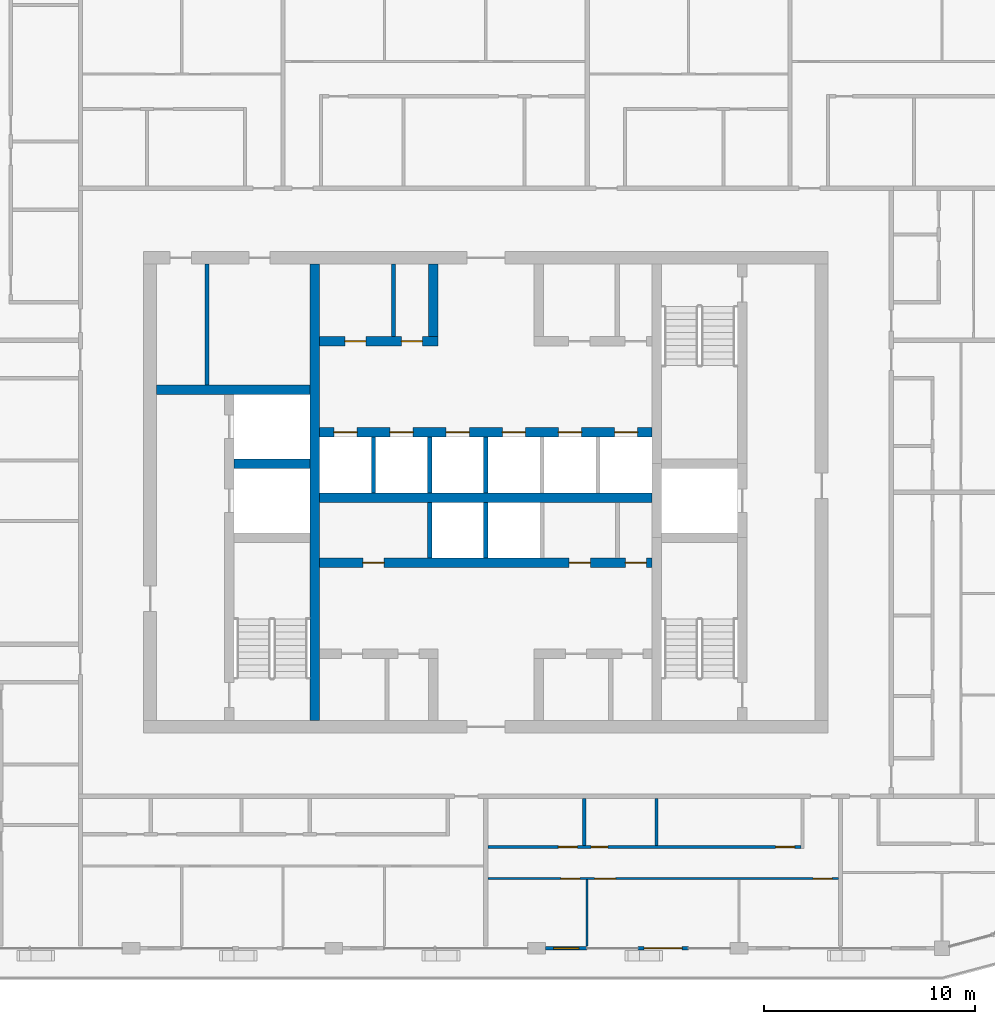
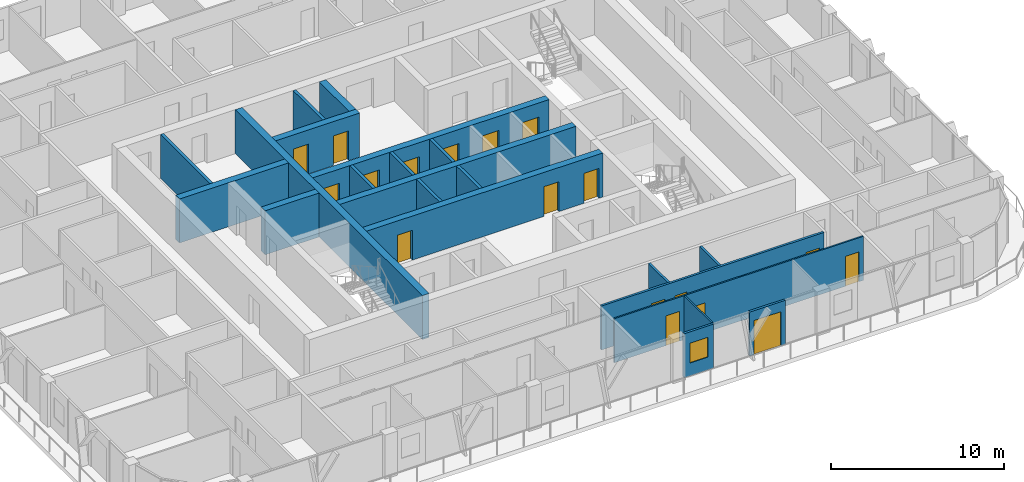
# One storey, part 11 of 22: 22 walls, 18 doors, 1 window, 19 openings.
"""IFC4 building model written with IfcOpenShell, lengths in metres."""

from ifc_helpers import new_model, si_unit, direction, frame, frame_2d, origin, place, context, subcontext, project, spatial, rectangle, extrude, material, layer, layer_set, type_object, element, fill, save


model = new_model("IFC4")

# Units and contexts
model_context = context("Model", 3, precision=1e-05, world=origin(), true_north=direction((0.0, 1.0)))
body_context = subcontext(model_context, "Body", "Model", "MODEL_VIEW")
ifc_project = project(units=[si_unit("LENGTHUNIT", "METRE"), si_unit("AREAUNIT", "SQUARE_METRE"), si_unit("VOLUMEUNIT", "CUBIC_METRE"), si_unit("PLANEANGLEUNIT", "RADIAN"), si_unit("MASSUNIT", "GRAM", prefix="KILO")], contexts=[model_context])

# Site, building, storey
site_placement = place(None, origin())
site = spatial("IfcSite", under=ifc_project, at=site_placement, CompositionType="ELEMENT")
building_placement = place(site_placement, origin())
building = spatial("IfcBuilding", under=site, at=building_placement, Name="Madar Terraces", CompositionType="ELEMENT")
storey_placement = place(building_placement, frame((0.0, 0.0, 259.699951171875)))
storey = spatial("IfcBuildingStorey", under=building, at=storey_placement, Name="L68", CompositionType="ELEMENT", Elevation=259.699951171875)

# Walls
ifc_material_1 = material(Name="Concrete C55/67", Category="concrete")
ifc_layer_1 = layer(ifc_material_1, 0.449951171875)
ifc_layer_set_1 = layer_set([ifc_layer_1], Name="Concrete C55/67 (CIW5 RC wall 450)")
wall_type_1 = type_object("IfcWallType", Name="CIW5 RC wall 450", PredefinedType="SHEAR", material=ifc_layer_set_1)
wall_1_placement = place(storey_placement, frame((23.10009765625, 15.60009765625, 0.0), z_axis=(0.0, 0.0, 1.0), x_axis=(0.0, 1.0, 0.0)))
element("IfcWall", 1, at=wall_1_placement, inside=storey, type_object=wall_type_1, Name="CORE SHAFT WALL", PredefinedType="SHEAR", context=body_context, shape_type="SweptSolid", body=[
    extrude(rectangle(XDim=21.599853515625, YDim=0.449951171875, at=frame_2d((10.7998046875, 0.0))), origin(), (0.0, 0.0, 1.0), 3.10009765625),
])
wall_2_placement = place(storey_placement, frame((19.27490234375, 27.75, 0.0), z_axis=(0.0, 0.0, 1.0), x_axis=(1.0, 0.0, 0.0)))
element("IfcWall", 2, at=wall_2_placement, inside=storey, type_object=wall_type_1, Name="CORE SHAFT WALL", PredefinedType="SHEAR", context=body_context, shape_type="SweptSolid", body=[
    extrude(rectangle(XDim=3.60009765625, YDim=0.449951171875, at=frame_2d((1.800048828125, 0.0))), origin(), (0.0, 0.0, 1.0), 3.10009765625),
])
wall_3_placement = place(storey_placement, frame((15.60009765625, 31.25, 0.0), z_axis=(0.0, 0.0, 1.0), x_axis=(1.0, 0.0, 0.0)))
element("IfcWall", 3, at=wall_3_placement, inside=storey, type_object=wall_type_1, Name="CORE SHAFT WALL", PredefinedType="SHEAR", context=body_context, shape_type="SweptSolid", body=[
    extrude(rectangle(XDim=7.27490234375, YDim=0.449951171875, at=frame_2d((3.637451171875, 0.0))), origin(), (0.0, 0.0, 1.0), 3.10009765625),
])

# Wall, openings, doors
wall_4_placement = place(storey_placement, frame((23.324951171875, 23.050048828125, 0.0), z_axis=(0.0, 0.0, 1.0), x_axis=(1.0, 0.0, 0.0)))
wall_4 = element("IfcWall", 4, at=wall_4_placement, inside=storey, type_object=wall_type_1, Name="CORE SHAFT WALL", PredefinedType="SHEAR", context=body_context, shape_type="SweptSolid", body=[
    extrude(rectangle(XDim=15.75, YDim=0.449951171875, at=frame_2d((7.875, 0.0))), origin(), (0.0, 0.0, 1.0), 3.10009765625),
])
opening_1_placement = place(wall_4_placement, frame((2.058349609375, 0.0, 0.0)))
opening_1 = element("IfcOpeningElement", 5, at=opening_1_placement, cuts=wall_4, Name="Opening KD2", PredefinedType="OPENING", context=body_context, shape_type="SweptSolid", body=[
    extrude(rectangle(XDim=1.0, YDim=2.10009765625, at=frame_2d((0.5, 1.050048828125))), frame((0.0, 0.23486328125, 0.0), z_axis=(0.0, -1.0, 0.0), x_axis=(1.0, 0.0, 0.0)), (0.0, 0.0, 1.0), 0.469970703125),
])
opening_2_placement = place(wall_4_placement, frame((11.822998046875, 0.0, 0.0)))
opening_2 = element("IfcOpeningElement", 6, at=opening_2_placement, cuts=wall_4, Name="Opening KD2", PredefinedType="OPENING", context=body_context, shape_type="SweptSolid", body=[
    extrude(rectangle(XDim=1.0, YDim=2.10009765625, at=frame_2d((0.5, 1.050048828125))), frame((0.0, 0.23486328125, 0.0), z_axis=(0.0, -1.0, 0.0), x_axis=(1.0, 0.0, 0.0)), (0.0, 0.0, 1.0), 0.469970703125),
])
opening_3_placement = place(wall_4_placement, frame((14.4814453125, 0.0, 0.0)))
opening_3 = element("IfcOpeningElement", 7, at=opening_3_placement, cuts=wall_4, Name="Opening KD2", PredefinedType="OPENING", context=body_context, shape_type="SweptSolid", body=[
    extrude(rectangle(XDim=1.0, YDim=2.10009765625, at=frame_2d((0.5, 1.050048828125))), frame((0.0, 0.23486328125, 0.0), z_axis=(0.0, -1.0, 0.0), x_axis=(1.0, 0.0, 0.0)), (0.0, 0.0, 1.0), 0.469970703125),
])
ifc_material_2 = material(Name="Steel door leaf", Category="steel")
door_type_1 = type_object("IfcDoorType", Name="Service room door 1000 x 2100", OperationType="NOTDEFINED", PredefinedType="DOOR", material=ifc_material_2)
door_1_placement = place(opening_1_placement, frame((1.0, 0.0, 0.0), z_axis=(0.0, 0.0, 1.0), x_axis=(-1.0, 0.0, 0.0)))
door_1 = element("IfcDoor", 8, at=door_1_placement, inside=storey, type_object=door_type_1, Name="SERVICE ROOM DOOR", OperationType="SINGLE_SWING_LEFT", OverallHeight=2.10009765625, OverallWidth=1.0, PredefinedType="DOOR", context=body_context, shape_type="SweptSolid", body=[
    extrude(rectangle(XDim=1.0, YDim=2.10009765625, at=frame_2d((0.5, 1.050048828125))), frame((0.0, 0.02490234375, 0.0), z_axis=(0.0, -1.0, 0.0), x_axis=(1.0, 0.0, 0.0)), (0.0, 0.0, 1.0), 0.050048828125),
])
fill(opening_1, door_1)
door_2_placement = place(opening_2_placement, frame((1.0, 0.0, 0.0), z_axis=(0.0, 0.0, 1.0), x_axis=(-1.0, 0.0, 0.0)))
door_2 = element("IfcDoor", 9, at=door_2_placement, inside=storey, type_object=door_type_1, Name="SERVICE ROOM DOOR", OperationType="SINGLE_SWING_RIGHT", OverallHeight=2.10009765625, OverallWidth=1.0, PredefinedType="DOOR", context=body_context, shape_type="SweptSolid", body=[
    extrude(rectangle(XDim=1.0, YDim=2.10009765625, at=frame_2d((0.5, 1.050048828125))), frame((0.0, 0.02490234375, 0.0), z_axis=(0.0, -1.0, 0.0), x_axis=(1.0, 0.0, 0.0)), (0.0, 0.0, 1.0), 0.050048828125),
])
fill(opening_2, door_2)
door_3_placement = place(opening_3_placement, frame((1.0, 0.0, 0.0), z_axis=(0.0, 0.0, 1.0), x_axis=(-1.0, 0.0, 0.0)))
door_3 = element("IfcDoor", 10, at=door_3_placement, inside=storey, type_object=door_type_1, Name="SERVICE ROOM DOOR", OperationType="SINGLE_SWING_LEFT", OverallHeight=2.10009765625, OverallWidth=1.0, PredefinedType="DOOR", context=body_context, shape_type="SweptSolid", body=[
    extrude(rectangle(XDim=1.0, YDim=2.10009765625, at=frame_2d((0.5, 1.050048828125))), frame((0.0, 0.02490234375, 0.0), z_axis=(0.0, -1.0, 0.0), x_axis=(1.0, 0.0, 0.0)), (0.0, 0.0, 1.0), 0.050048828125),
])
fill(opening_3, door_3)

# Wall
wall_5_placement = place(storey_placement, frame((23.324951171875, 26.14990234375, 0.0), z_axis=(0.0, 0.0, 1.0), x_axis=(1.0, 0.0, 0.0)))
element("IfcWall", 11, at=wall_5_placement, inside=storey, type_object=wall_type_1, Name="CORE SHAFT WALL", PredefinedType="SHEAR", context=body_context, shape_type="SweptSolid", body=[
    extrude(rectangle(XDim=15.75, YDim=0.449951171875, at=frame_2d((7.875, 0.0))), origin(), (0.0, 0.0, 1.0), 3.10009765625),
])

# Wall, openings, doors
wall_6_placement = place(storey_placement, frame((23.324951171875, 29.25, 0.0), z_axis=(0.0, 0.0, 1.0), x_axis=(1.0, 0.0, 0.0)))
wall_6 = element("IfcWall", 12, at=wall_6_placement, inside=storey, type_object=wall_type_1, Name="CORE SHAFT WALL", PredefinedType="SHEAR", context=body_context, shape_type="SweptSolid", body=[
    extrude(rectangle(XDim=15.75, YDim=0.449951171875, at=frame_2d((7.875, 0.0))), origin(), (0.0, 0.0, 1.0), 3.10009765625),
])
opening_4_placement = place(wall_6_placement, frame((0.67919921875, 0.0, 0.0)))
opening_4 = element("IfcOpeningElement", 13, at=opening_4_placement, cuts=wall_6, Name="Opening LD", PredefinedType="OPENING", context=body_context, shape_type="SweptSolid", body=[
    extrude(rectangle(XDim=1.10009765625, YDim=2.10009765625, at=frame_2d((0.550048828125, 1.050048828125))), frame((0.0, 0.23486328125, 0.0), z_axis=(0.0, -1.0, 0.0), x_axis=(1.0, 0.0, 0.0)), (0.0, 0.0, 1.0), 0.469970703125),
])
opening_5_placement = place(wall_6_placement, frame((3.33740234375, 0.0, 0.0)))
opening_5 = element("IfcOpeningElement", 14, at=opening_5_placement, cuts=wall_6, Name="Opening LD", PredefinedType="OPENING", context=body_context, shape_type="SweptSolid", body=[
    extrude(rectangle(XDim=1.10009765625, YDim=2.10009765625, at=frame_2d((0.550048828125, 1.050048828125))), frame((0.0, 0.23486328125, 0.0), z_axis=(0.0, -1.0, 0.0), x_axis=(1.0, 0.0, 0.0)), (0.0, 0.0, 1.0), 0.469970703125),
])
opening_6_placement = place(wall_6_placement, frame((5.995849609375, 0.0, 0.0)))
opening_6 = element("IfcOpeningElement", 15, at=opening_6_placement, cuts=wall_6, Name="Opening LD", PredefinedType="OPENING", context=body_context, shape_type="SweptSolid", body=[
    extrude(rectangle(XDim=1.10009765625, YDim=2.10009765625, at=frame_2d((0.550048828125, 1.050048828125))), frame((0.0, 0.23486328125, 0.0), z_axis=(0.0, -1.0, 0.0), x_axis=(1.0, 0.0, 0.0)), (0.0, 0.0, 1.0), 0.469970703125),
])
opening_7_placement = place(wall_6_placement, frame((8.654052734375, 0.0, 0.0)))
opening_7 = element("IfcOpeningElement", 16, at=opening_7_placement, cuts=wall_6, Name="Opening LD", PredefinedType="OPENING", context=body_context, shape_type="SweptSolid", body=[
    extrude(rectangle(XDim=1.10009765625, YDim=2.10009765625, at=frame_2d((0.550048828125, 1.050048828125))), frame((0.0, 0.23486328125, 0.0), z_axis=(0.0, -1.0, 0.0), x_axis=(1.0, 0.0, 0.0)), (0.0, 0.0, 1.0), 0.469970703125),
])
opening_8_placement = place(wall_6_placement, frame((11.3125, 0.0, 0.0)))
opening_8 = element("IfcOpeningElement", 17, at=opening_8_placement, cuts=wall_6, Name="Opening LD", PredefinedType="OPENING", context=body_context, shape_type="SweptSolid", body=[
    extrude(rectangle(XDim=1.10009765625, YDim=2.10009765625, at=frame_2d((0.550048828125, 1.050048828125))), frame((0.0, 0.23486328125, 0.0), z_axis=(0.0, -1.0, 0.0), x_axis=(1.0, 0.0, 0.0)), (0.0, 0.0, 1.0), 0.469970703125),
])
opening_9_placement = place(wall_6_placement, frame((13.970947265625, 0.0, 0.0)))
opening_9 = element("IfcOpeningElement", 18, at=opening_9_placement, cuts=wall_6, Name="Opening LD", PredefinedType="OPENING", context=body_context, shape_type="SweptSolid", body=[
    extrude(rectangle(XDim=1.10009765625, YDim=2.10009765625, at=frame_2d((0.550048828125, 1.050048828125))), frame((0.0, 0.23486328125, 0.0), z_axis=(0.0, -1.0, 0.0), x_axis=(1.0, 0.0, 0.0)), (0.0, 0.0, 1.0), 0.469970703125),
])
ifc_material_3 = material(Name="Stainless steel panel", Category="steel")
door_type_2 = type_object("IfcDoorType", Name="Lift landing door 1100 x 2100", OperationType="DOUBLE_DOOR_SLIDING", PredefinedType="DOOR", material=ifc_material_3)
door_4_placement = place(opening_4_placement, origin())
door_4 = element("IfcDoor", 19, at=door_4_placement, inside=storey, type_object=door_type_2, Name="LIFT LANDING DOOR", OperationType="DOUBLE_DOOR_SLIDING", OverallHeight=2.10009765625, OverallWidth=1.10009765625, PredefinedType="DOOR", context=body_context, shape_type="SweptSolid", body=[
    extrude(rectangle(XDim=1.10009765625, YDim=2.10009765625, at=frame_2d((0.550048828125, 1.050048828125))), frame((0.0, 0.02490234375, 0.0), z_axis=(0.0, -1.0, 0.0), x_axis=(1.0, 0.0, 0.0)), (0.0, 0.0, 1.0), 0.050048828125),
])
fill(opening_4, door_4)
door_5_placement = place(opening_5_placement, origin())
door_5 = element("IfcDoor", 20, at=door_5_placement, inside=storey, type_object=door_type_2, Name="LIFT LANDING DOOR", OperationType="DOUBLE_DOOR_SLIDING", OverallHeight=2.10009765625, OverallWidth=1.10009765625, PredefinedType="DOOR", context=body_context, shape_type="SweptSolid", body=[
    extrude(rectangle(XDim=1.10009765625, YDim=2.10009765625, at=frame_2d((0.550048828125, 1.050048828125))), frame((0.0, 0.02490234375, 0.0), z_axis=(0.0, -1.0, 0.0), x_axis=(1.0, 0.0, 0.0)), (0.0, 0.0, 1.0), 0.050048828125),
])
fill(opening_5, door_5)
door_6_placement = place(opening_6_placement, origin())
door_6 = element("IfcDoor", 21, at=door_6_placement, inside=storey, type_object=door_type_2, Name="LIFT LANDING DOOR", OperationType="DOUBLE_DOOR_SLIDING", OverallHeight=2.10009765625, OverallWidth=1.10009765625, PredefinedType="DOOR", context=body_context, shape_type="SweptSolid", body=[
    extrude(rectangle(XDim=1.10009765625, YDim=2.10009765625, at=frame_2d((0.550048828125, 1.050048828125))), frame((0.0, 0.02490234375, 0.0), z_axis=(0.0, -1.0, 0.0), x_axis=(1.0, 0.0, 0.0)), (0.0, 0.0, 1.0), 0.050048828125),
])
fill(opening_6, door_6)
door_7_placement = place(opening_7_placement, origin())
door_7 = element("IfcDoor", 22, at=door_7_placement, inside=storey, type_object=door_type_2, Name="LIFT LANDING DOOR", OperationType="DOUBLE_DOOR_SLIDING", OverallHeight=2.10009765625, OverallWidth=1.10009765625, PredefinedType="DOOR", context=body_context, shape_type="SweptSolid", body=[
    extrude(rectangle(XDim=1.10009765625, YDim=2.10009765625, at=frame_2d((0.550048828125, 1.050048828125))), frame((0.0, 0.02490234375, 0.0), z_axis=(0.0, -1.0, 0.0), x_axis=(1.0, 0.0, 0.0)), (0.0, 0.0, 1.0), 0.050048828125),
])
fill(opening_7, door_7)
door_8_placement = place(opening_8_placement, origin())
door_8 = element("IfcDoor", 23, at=door_8_placement, inside=storey, type_object=door_type_2, Name="LIFT LANDING DOOR", OperationType="DOUBLE_DOOR_SLIDING", OverallHeight=2.10009765625, OverallWidth=1.10009765625, PredefinedType="DOOR", context=body_context, shape_type="SweptSolid", body=[
    extrude(rectangle(XDim=1.10009765625, YDim=2.10009765625, at=frame_2d((0.550048828125, 1.050048828125))), frame((0.0, 0.02490234375, 0.0), z_axis=(0.0, -1.0, 0.0), x_axis=(1.0, 0.0, 0.0)), (0.0, 0.0, 1.0), 0.050048828125),
])
fill(opening_8, door_8)
door_9_placement = place(opening_9_placement, origin())
door_9 = element("IfcDoor", 24, at=door_9_placement, inside=storey, type_object=door_type_2, Name="LIFT LANDING DOOR", OperationType="DOUBLE_DOOR_SLIDING", OverallHeight=2.10009765625, OverallWidth=1.10009765625, PredefinedType="DOOR", context=body_context, shape_type="SweptSolid", body=[
    extrude(rectangle(XDim=1.10009765625, YDim=2.10009765625, at=frame_2d((0.550048828125, 1.050048828125))), frame((0.0, 0.02490234375, 0.0), z_axis=(0.0, -1.0, 0.0), x_axis=(1.0, 0.0, 0.0)), (0.0, 0.0, 1.0), 0.050048828125),
])
fill(opening_9, door_9)

wall_7_placement = place(storey_placement, frame((23.324951171875, 33.550048828125, 0.0), z_axis=(0.0, 0.0, 1.0), x_axis=(1.0, 0.0, 0.0)))
wall_7 = element("IfcWall", 25, at=wall_7_placement, inside=storey, type_object=wall_type_1, Name="CORE SHAFT WALL", PredefinedType="SHEAR", context=body_context, shape_type="SweptSolid", body=[
    extrude(rectangle(XDim=5.60009765625, YDim=0.449951171875, at=frame_2d((2.800048828125, 0.0))), origin(), (0.0, 0.0, 1.0), 3.10009765625),
])
opening_10_placement = place(wall_7_placement, frame((1.200927734375, 0.0, 0.0)))
opening_10 = element("IfcOpeningElement", 26, at=opening_10_placement, cuts=wall_7, Name="Opening KD2", PredefinedType="OPENING", context=body_context, shape_type="SweptSolid", body=[
    extrude(rectangle(XDim=1.0, YDim=2.10009765625, at=frame_2d((0.5, 1.050048828125))), frame((0.0, 0.23486328125, 0.0), z_axis=(0.0, -1.0, 0.0), x_axis=(1.0, 0.0, 0.0)), (0.0, 0.0, 1.0), 0.469970703125),
])
opening_11_placement = place(wall_7_placement, frame((3.8759765625, 0.0, 0.0)))
opening_11 = element("IfcOpeningElement", 27, at=opening_11_placement, cuts=wall_7, Name="Opening KD2", PredefinedType="OPENING", context=body_context, shape_type="SweptSolid", body=[
    extrude(rectangle(XDim=1.0, YDim=2.10009765625, at=frame_2d((0.5, 1.050048828125))), frame((0.0, 0.23486328125, 0.0), z_axis=(0.0, -1.0, 0.0), x_axis=(1.0, 0.0, 0.0)), (0.0, 0.0, 1.0), 0.469970703125),
])
door_10_placement = place(opening_10_placement, frame((1.0, 0.0, 0.0), z_axis=(0.0, 0.0, 1.0), x_axis=(-1.0, 0.0, 0.0)))
door_10 = element("IfcDoor", 28, at=door_10_placement, inside=storey, type_object=door_type_1, Name="SERVICE ROOM DOOR", OperationType="SINGLE_SWING_RIGHT", OverallHeight=2.10009765625, OverallWidth=1.0, PredefinedType="DOOR", context=body_context, shape_type="SweptSolid", body=[
    extrude(rectangle(XDim=1.0, YDim=2.10009765625, at=frame_2d((0.5, 1.050048828125))), frame((0.0, 0.02490234375, 0.0), z_axis=(0.0, -1.0, 0.0), x_axis=(1.0, 0.0, 0.0)), (0.0, 0.0, 1.0), 0.050048828125),
])
fill(opening_10, door_10)
door_11_placement = place(opening_11_placement, frame((1.0, 0.0, 0.0), z_axis=(0.0, 0.0, 1.0), x_axis=(-1.0, 0.0, 0.0)))
door_11 = element("IfcDoor", 29, at=door_11_placement, inside=storey, type_object=door_type_1, Name="SERVICE ROOM DOOR", OperationType="SINGLE_SWING_LEFT", OverallHeight=2.10009765625, OverallWidth=1.0, PredefinedType="DOOR", context=body_context, shape_type="SweptSolid", body=[
    extrude(rectangle(XDim=1.0, YDim=2.10009765625, at=frame_2d((0.5, 1.050048828125))), frame((0.0, 0.02490234375, 0.0), z_axis=(0.0, -1.0, 0.0), x_axis=(1.0, 0.0, 0.0)), (0.0, 0.0, 1.0), 0.050048828125),
])
fill(opening_11, door_11)

# Walls
wall_8_placement = place(storey_placement, frame((28.699951171875, 33.77490234375, 0.0), z_axis=(0.0, 0.0, 1.0), x_axis=(0.0, 1.0, 0.0)))
element("IfcWall", 30, at=wall_8_placement, inside=storey, type_object=wall_type_1, Name="CORE SHAFT WALL", PredefinedType="SHEAR", context=body_context, shape_type="SweptSolid", body=[
    extrude(rectangle(XDim=3.425048828125, YDim=0.449951171875, at=frame_2d((1.71240234375, 0.0))), origin(), (0.0, 0.0, 1.0), 3.10009765625),
])
ifc_material_4 = material(Name="Masonry blockwork", Category="masonry")
ifc_layer_2 = layer(ifc_material_4, 0.199951171875)
ifc_layer_set_2 = layer_set([ifc_layer_2], Name="Core partition 200 blockwork")
wall_type_2 = type_object("IfcWallType", Name="Core partition 200 blockwork", PredefinedType="PARTITIONING", material=ifc_layer_set_2)
wall_9_placement = place(storey_placement, frame((18.000732421875, 31.47509765625, 0.0), z_axis=(0.0, 0.0, 1.0), x_axis=(0.0, 1.0, 0.0)))
element("IfcWall", 31, at=wall_9_placement, inside=storey, type_object=wall_type_2, Name="SERVICE ROOM PARTITION", PredefinedType="PARTITIONING", context=body_context, shape_type="SweptSolid", body=[
    extrude(rectangle(XDim=5.724853515625, YDim=0.199951171875, at=frame_2d((2.8623046875, 0.0))), origin(), (0.0, 0.0, 1.0), 3.10009765625),
])
wall_10_placement = place(storey_placement, frame((26.826904296875, 33.77490234375, 0.0), z_axis=(0.0, 0.0, 1.0), x_axis=(0.0, 1.0, 0.0)))
element("IfcWall", 32, at=wall_10_placement, inside=storey, type_object=wall_type_2, Name="SERVICE ROOM PARTITION", PredefinedType="PARTITIONING", context=body_context, shape_type="SweptSolid", body=[
    extrude(rectangle(XDim=3.425048828125, YDim=0.199951171875, at=frame_2d((1.71240234375, 0.0))), origin(), (0.0, 0.0, 1.0), 3.10009765625),
])
ifc_material_5 = material(Name="Concrete C40/50", Category="concrete")
ifc_layer_3 = layer(ifc_material_5, 0.199951171875)
ifc_layer_set_3 = layer_set([ifc_layer_3], Name="Core shaft dividing wall 200 C40/50")
wall_type_3 = type_object("IfcWallType", Name="Core shaft dividing wall 200 C40/50", PredefinedType="SOLIDWALL", material=ifc_layer_set_3)
wall_11_placement = place(storey_placement, frame((25.88330078125, 26.375, 0.0), z_axis=(0.0, 0.0, 1.0), x_axis=(0.0, 1.0, 0.0)))
element("IfcWall", 33, at=wall_11_placement, inside=storey, type_object=wall_type_3, Name="SHAFT DIVIDING WALL", PredefinedType="SOLIDWALL", context=body_context, shape_type="SweptSolid", body=[
    extrude(rectangle(XDim=2.64990234375, YDim=0.199951171875, at=frame_2d((1.324951171875, 0.0))), origin(), (0.0, 0.0, 1.0), 3.10009765625),
])
wall_12_placement = place(storey_placement, frame((28.541748046875, 23.27490234375, 0.0), z_axis=(0.0, 0.0, 1.0), x_axis=(0.0, 1.0, 0.0)))
element("IfcWall", 34, at=wall_12_placement, inside=storey, type_object=wall_type_3, Name="SHAFT DIVIDING WALL", PredefinedType="SOLIDWALL", context=body_context, shape_type="SweptSolid", body=[
    extrude(rectangle(XDim=2.650146484375, YDim=0.199951171875, at=frame_2d((1.3251953125, 0.0))), origin(), (0.0, 0.0, 1.0), 3.10009765625),
])
wall_13_placement = place(storey_placement, frame((28.541748046875, 26.375, 0.0), z_axis=(0.0, 0.0, 1.0), x_axis=(0.0, 1.0, 0.0)))
element("IfcWall", 35, at=wall_13_placement, inside=storey, type_object=wall_type_3, Name="SHAFT DIVIDING WALL", PredefinedType="SOLIDWALL", context=body_context, shape_type="SweptSolid", body=[
    extrude(rectangle(XDim=2.64990234375, YDim=0.199951171875, at=frame_2d((1.324951171875, 0.0))), origin(), (0.0, 0.0, 1.0), 3.10009765625),
])
wall_14_placement = place(storey_placement, frame((31.199951171875, 23.27490234375, 0.0), z_axis=(0.0, 0.0, 1.0), x_axis=(0.0, 1.0, 0.0)))
element("IfcWall", 36, at=wall_14_placement, inside=storey, type_object=wall_type_3, Name="SHAFT DIVIDING WALL", PredefinedType="SOLIDWALL", context=body_context, shape_type="SweptSolid", body=[
    extrude(rectangle(XDim=2.650146484375, YDim=0.199951171875, at=frame_2d((1.3251953125, 0.0))), origin(), (0.0, 0.0, 1.0), 3.10009765625),
])
wall_15_placement = place(storey_placement, frame((31.199951171875, 26.375, 0.0), z_axis=(0.0, 0.0, 1.0), x_axis=(0.0, 1.0, 0.0)))
element("IfcWall", 37, at=wall_15_placement, inside=storey, type_object=wall_type_3, Name="SHAFT DIVIDING WALL", PredefinedType="SOLIDWALL", context=body_context, shape_type="SweptSolid", body=[
    extrude(rectangle(XDim=2.64990234375, YDim=0.199951171875, at=frame_2d((1.324951171875, 0.0))), origin(), (0.0, 0.0, 1.0), 3.10009765625),
])

# Wall, opening, window
ifc_material_6 = material(Name="Aluminium composite panel, black, over insulated backing", Category="aluminium")
ifc_layer_4 = layer(ifc_material_6, 0.14990234375)
ifc_layer_set_4 = layer_set([ifc_layer_4], Name="Facade bay panel 150")
wall_type_4 = type_object("IfcWallType", Name="Facade bay panel 150", PredefinedType="SOLIDWALL", material=ifc_layer_set_4)
wall_16_placement = place(storey_placement, frame((34.02490234375, 4.800048828125, 0.0), z_axis=(0.0, 0.0, 1.0), x_axis=(1.0, 0.0, 0.0)))
wall_16 = element("IfcWall", 38, at=wall_16_placement, inside=storey, type_object=wall_type_4, Name="Facade bay panel", PredefinedType="SOLIDWALL", context=body_context, shape_type="SweptSolid", body=[
    extrude(rectangle(XDim=1.97509765625, YDim=0.14990234375, at=frame_2d((0.987548828125, 0.0))), origin(), (0.0, 0.0, 1.0), 3.10009765625),
])
opening_12_placement = place(wall_16_placement, frame((0.387451171875, 0.0, 0.89990234375)))
opening_12 = element("IfcOpeningElement", 39, at=opening_12_placement, cuts=wall_16, Name="Opening W1", PredefinedType="OPENING", context=body_context, shape_type="SweptSolid", body=[
    extrude(rectangle(XDim=1.199951171875, YDim=1.39990234375, at=frame_2d((0.60009765625, 0.699951171875))), frame((0.0, 0.0849609375, 0.0), z_axis=(0.0, -1.0, 0.0), x_axis=(1.0, 0.0, 0.0)), (0.0, 0.0, 1.0), 0.169921875),
])
ifc_material_7 = material(Name="Glass, clear, with black aluminium frame", Category="aluminium")
window_type = type_object("IfcWindowType", Name="Vent window 1200 x 1400", PartitioningType="SINGLE_PANEL", PredefinedType="WINDOW", material=ifc_material_7)
window_placement = place(opening_12_placement, origin())
window = element("IfcWindow", 40, at=window_placement, inside=storey, type_object=window_type, Name="Operable vent window", OverallHeight=1.39990234375, OverallWidth=1.199951171875, PartitioningType="SINGLE_PANEL", PredefinedType="WINDOW", context=body_context, shape_type="SweptSolid", body=[
    extrude(rectangle(XDim=1.199951171875, YDim=1.39990234375, at=frame_2d((0.60009765625, 0.699951171875))), frame((0.0, 0.030029296875, 0.0), z_axis=(0.0, -1.0, 0.0), x_axis=(1.0, 0.0, 0.0)), (0.0, 0.0, 1.0), 0.06005859375),
])
fill(opening_12, window)

# Wall, opening, door
wall_17_placement = place(storey_placement, frame((38.39990234375, 4.800048828125, 0.0), z_axis=(0.0, 0.0, 1.0), x_axis=(1.0, 0.0, 0.0)))
wall_17 = element("IfcWall", 41, at=wall_17_placement, inside=storey, type_object=wall_type_4, Name="Facade bay panel", PredefinedType="SOLIDWALL", context=body_context, shape_type="SweptSolid", body=[
    extrude(rectangle(XDim=2.400146484375, YDim=0.14990234375, at=frame_2d((1.2001953125, 0.0))), origin(), (0.0, 0.0, 1.0), 3.10009765625),
])
opening_13_placement = place(wall_17_placement, frame((0.300048828125, 0.0, 0.0)))
opening_13 = element("IfcOpeningElement", 42, at=opening_13_placement, cuts=wall_17, Name="Opening ED1", PredefinedType="OPENING", context=body_context, shape_type="SweptSolid", body=[
    extrude(rectangle(XDim=1.800048828125, YDim=2.39990234375, at=frame_2d((0.89990234375, 1.199951171875))), frame((0.0, 0.0849609375, 0.0), z_axis=(0.0, -1.0, 0.0), x_axis=(1.0, 0.0, 0.0)), (0.0, 0.0, 1.0), 0.169921875),
])
ifc_material_8 = material(Name="Glass, clear, with black aluminium frame", Category="aluminium")
door_type_3 = type_object("IfcDoorType", Name="Balcony and terrace sliding door 1800 x 2400", OperationType="SLIDING_TO_LEFT", PredefinedType="DOOR", material=ifc_material_8)
door_12_placement = place(opening_13_placement, origin())
door_12 = element("IfcDoor", 43, at=door_12_placement, inside=storey, type_object=door_type_3, Name="Balcony door", OperationType="SLIDING_TO_RIGHT", OverallHeight=2.39990234375, OverallWidth=1.800048828125, PredefinedType="DOOR", context=body_context, shape_type="SweptSolid", body=[
    extrude(rectangle(XDim=1.800048828125, YDim=2.39990234375, at=frame_2d((0.89990234375, 1.199951171875))), frame((0.0, 0.02490234375, 0.0), z_axis=(0.0, -1.0, 0.0), x_axis=(1.0, 0.0, 0.0)), (0.0, 0.0, 1.0), 0.050048828125),
])
fill(opening_13, door_12)

# Wall
ifc_material_9 = material(Name="Gypsum board on steel studs", Category="steel")
ifc_layer_5 = layer(ifc_material_9, 0.10009765625)
ifc_layer_set_5 = layer_set([ifc_layer_5], Name="Flat partition 100")
wall_type_5 = type_object("IfcWallType", Name="Flat partition 100", PredefinedType="PARTITIONING", material=ifc_layer_set_5)
wall_18_placement = place(storey_placement, frame((36.0, 8.050048828125, 0.0), z_axis=(0.0, 0.0, 1.0), x_axis=(0.0, -1.0, 0.0)))
element("IfcWall", 44, at=wall_18_placement, inside=storey, type_object=wall_type_5, Name="Flat partition 100", PredefinedType="PARTITIONING", context=body_context, shape_type="SweptSolid", body=[
    extrude(rectangle(XDim=3.150146484375, YDim=0.10009765625, at=frame_2d((1.5751953125, 0.0))), origin(), (0.0, 0.0, 1.0), 3.10009765625),
])

# Wall, openings, doors
wall_19_placement = place(storey_placement, frame((47.89990234375, 8.10009765625, 0.0), z_axis=(0.0, 0.0, 1.0), x_axis=(-1.0, 0.0, 0.0)))
wall_19 = element("IfcWall", 45, at=wall_19_placement, inside=storey, type_object=wall_type_5, Name="Flat partition 100", PredefinedType="PARTITIONING", context=body_context, shape_type="SweptSolid", body=[
    extrude(rectangle(XDim=16.599853515625, YDim=0.10009765625, at=frame_2d((8.2998046875, 0.0))), origin(), (0.0, 0.0, 1.0), 3.10009765625),
])
opening_14_placement = place(wall_19_placement, frame((0.300048828125, 0.0, 0.0)))
opening_14 = element("IfcOpeningElement", 46, at=opening_14_placement, cuts=wall_19, Name="Opening D2", PredefinedType="OPENING", context=body_context, shape_type="SweptSolid", body=[
    extrude(rectangle(XDim=0.89990234375, YDim=2.10009765625, at=frame_2d((0.449951171875, 1.050048828125))), frame((0.0, 0.06005859375, 0.0), z_axis=(0.0, -1.0, 0.0), x_axis=(1.0, 0.0, 0.0)), (0.0, 0.0, 1.0), 0.1201171875),
])
opening_15_placement = place(wall_19_placement, frame((10.550048828125, 0.0, 0.0)))
opening_15 = element("IfcOpeningElement", 47, at=opening_15_placement, cuts=wall_19, Name="Opening D3", PredefinedType="OPENING", context=body_context, shape_type="SweptSolid", body=[
    extrude(rectangle(XDim=1.0, YDim=2.10009765625, at=frame_2d((0.5, 1.050048828125))), frame((0.0, 0.06005859375, 0.0), z_axis=(0.0, -1.0, 0.0), x_axis=(1.0, 0.0, 0.0)), (0.0, 0.0, 1.0), 0.1201171875),
])
opening_16_placement = place(wall_19_placement, frame((12.25, 0.0, 0.0)))
opening_16 = element("IfcOpeningElement", 48, at=opening_16_placement, cuts=wall_19, Name="Opening D2", PredefinedType="OPENING", context=body_context, shape_type="SweptSolid", body=[
    extrude(rectangle(XDim=0.89990234375, YDim=2.10009765625, at=frame_2d((0.449951171875, 1.050048828125))), frame((0.0, 0.06005859375, 0.0), z_axis=(0.0, -1.0, 0.0), x_axis=(1.0, 0.0, 0.0)), (0.0, 0.0, 1.0), 0.1201171875),
])
ifc_material_10 = material(Name="Timber door leaf", Category="wood")
door_type_4 = type_object("IfcDoorType", Name="Flat living room door 1000", OperationType="NOTDEFINED", PredefinedType="DOOR", material=ifc_material_10)
door_13_placement = place(opening_15_placement, origin())
door_13 = element("IfcDoor", 49, at=door_13_placement, inside=storey, type_object=door_type_4, Name="Flat living room door 1000", OperationType="SINGLE_SWING_RIGHT", OverallHeight=2.10009765625, OverallWidth=1.0, PredefinedType="DOOR", context=body_context, shape_type="SweptSolid", body=[
    extrude(rectangle(XDim=1.0, YDim=2.10009765625, at=frame_2d((0.5, 1.050048828125))), frame((0.0, 0.02490234375, 0.0), z_axis=(0.0, -1.0, 0.0), x_axis=(1.0, 0.0, 0.0)), (0.0, 0.0, 1.0), 0.050048828125),
])
fill(opening_15, door_13)
ifc_material_11 = material(Name="Timber door leaf", Category="wood")
door_type_5 = type_object("IfcDoorType", Name="Flat room door 900", OperationType="NOTDEFINED", PredefinedType="DOOR", material=ifc_material_11)
door_14_placement = place(opening_14_placement, origin())
door_14 = element("IfcDoor", 50, at=door_14_placement, inside=storey, type_object=door_type_5, Name="Flat room door 900", OperationType="SINGLE_SWING_LEFT", OverallHeight=2.10009765625, OverallWidth=0.89990234375, PredefinedType="DOOR", context=body_context, shape_type="SweptSolid", body=[
    extrude(rectangle(XDim=0.89990234375, YDim=2.10009765625, at=frame_2d((0.449951171875, 1.050048828125))), frame((0.0, 0.02490234375, 0.0), z_axis=(0.0, -1.0, 0.0), x_axis=(1.0, 0.0, 0.0)), (0.0, 0.0, 1.0), 0.050048828125),
])
fill(opening_14, door_14)
door_15_placement = place(opening_16_placement, origin())
door_15 = element("IfcDoor", 51, at=door_15_placement, inside=storey, type_object=door_type_5, Name="Flat room door 900", OperationType="SINGLE_SWING_LEFT", OverallHeight=2.10009765625, OverallWidth=0.89990234375, PredefinedType="DOOR", context=body_context, shape_type="SweptSolid", body=[
    extrude(rectangle(XDim=0.89990234375, YDim=2.10009765625, at=frame_2d((0.449951171875, 1.050048828125))), frame((0.0, 0.02490234375, 0.0), z_axis=(0.0, -1.0, 0.0), x_axis=(1.0, 0.0, 0.0)), (0.0, 0.0, 1.0), 0.050048828125),
])
fill(opening_16, door_15)

# Walls
ifc_material_12 = material(Name="Lightweight blockwork", Category="masonry")
ifc_layer_6 = layer(ifc_material_12, 0.14990234375)
ifc_layer_set_6 = layer_set([ifc_layer_6], Name="Flat wet-room partition 150")
wall_type_6 = type_object("IfcWallType", Name="Flat wet-room partition 150", PredefinedType="PARTITIONING", material=ifc_layer_set_6)
for number, where, z_axis, x_axis, name in (
    (52, (39.28271484375, 11.89990234375, 0.0), (0.0, 0.0, 1.0), (0.0, -1.0, 0.0), "Flat wet-room partition 150"),
    (53, (35.861572265625, 11.89990234375, 0.0), (0.0, 0.0, 1.0), (0.0, -1.0, 0.0), "Flat wet-room partition 150"),
):
    element("IfcWall", number, at=place(storey_placement, frame(where, z_axis=z_axis, x_axis=x_axis)), inside=storey, type_object=wall_type_6, Name=name, PredefinedType="PARTITIONING", context=body_context, shape_type="SweptSolid", body=[
        extrude(rectangle(XDim=2.224853515625, YDim=0.14990234375, at=frame_2d((1.1123046875, 0.0))), origin(), (0.0, 0.0, 1.0), 3.10009765625),
    ])

# Wall, openings, doors
wall_20_placement = place(storey_placement, frame((31.300048828125, 9.60009765625, 0.0), z_axis=(0.0, 0.0, 1.0), x_axis=(1.0, 0.0, 0.0)))
wall_20 = element("IfcWall", 54, at=wall_20_placement, inside=storey, type_object=wall_type_6, Name="Flat wet-room partition 150", PredefinedType="PARTITIONING", context=body_context, shape_type="SweptSolid", body=[
    extrude(rectangle(XDim=14.824951171875, YDim=0.14990234375, at=frame_2d((7.41259765625, 0.0))), origin(), (0.0, 0.0, 1.0), 3.10009765625),
])
opening_17_placement = place(wall_20_placement, frame((13.625, 0.0, 0.0)))
opening_17 = element("IfcOpeningElement", 55, at=opening_17_placement, cuts=wall_20, Name="Opening D2", PredefinedType="OPENING", context=body_context, shape_type="SweptSolid", body=[
    extrude(rectangle(XDim=0.89990234375, YDim=2.10009765625, at=frame_2d((0.449951171875, 1.050048828125))), frame((0.0, 0.0849609375, 0.0), z_axis=(0.0, -1.0, 0.0), x_axis=(1.0, 0.0, 0.0)), (0.0, 0.0, 1.0), 0.169921875),
])
opening_18_placement = place(wall_20_placement, frame((4.886474609375, 0.0, 0.0)))
opening_18 = element("IfcOpeningElement", 56, at=opening_18_placement, cuts=wall_20, Name="Opening D4", PredefinedType="OPENING", context=body_context, shape_type="SweptSolid", body=[
    extrude(rectangle(XDim=0.800048828125, YDim=2.10009765625, at=frame_2d((0.39990234375, 1.050048828125))), frame((0.0, 0.0849609375, 0.0), z_axis=(0.0, -1.0, 0.0), x_axis=(1.0, 0.0, 0.0)), (0.0, 0.0, 1.0), 0.169921875),
])
opening_19_placement = place(wall_20_placement, frame((3.33642578125, 0.0, 0.0)))
opening_19 = element("IfcOpeningElement", 57, at=opening_19_placement, cuts=wall_20, Name="Opening D5", PredefinedType="OPENING", context=body_context, shape_type="SweptSolid", body=[
    extrude(rectangle(XDim=0.89990234375, YDim=2.10009765625, at=frame_2d((0.449951171875, 1.050048828125))), frame((0.0, 0.0849609375, 0.0), z_axis=(0.0, -1.0, 0.0), x_axis=(1.0, 0.0, 0.0)), (0.0, 0.0, 1.0), 0.169921875),
])
ifc_material_13 = material(Name="Timber door leaf", Category="wood")
door_type_6 = type_object("IfcDoorType", Name="Flat accessible bathroom door 900", OperationType="NOTDEFINED", PredefinedType="DOOR", material=ifc_material_13)
door_16_placement = place(opening_19_placement, origin())
door_16 = element("IfcDoor", 58, at=door_16_placement, inside=storey, type_object=door_type_6, Name="Flat accessible bathroom door 900", OperationType="SINGLE_SWING_RIGHT", OverallHeight=2.10009765625, OverallWidth=0.89990234375, PredefinedType="DOOR", context=body_context, shape_type="SweptSolid", body=[
    extrude(rectangle(XDim=0.89990234375, YDim=2.10009765625, at=frame_2d((0.449951171875, 1.050048828125))), frame((0.0, 0.02490234375, 0.0), z_axis=(0.0, -1.0, 0.0), x_axis=(1.0, 0.0, 0.0)), (0.0, 0.0, 1.0), 0.050048828125),
])
fill(opening_19, door_16)
ifc_material_14 = material(Name="Timber door leaf", Category="wood")
door_type_7 = type_object("IfcDoorType", Name="Flat bathroom door 800", OperationType="NOTDEFINED", PredefinedType="DOOR", material=ifc_material_14)
door_17_placement = place(opening_18_placement, origin())
door_17 = element("IfcDoor", 59, at=door_17_placement, inside=storey, type_object=door_type_7, Name="Flat bathroom door 800", OperationType="SINGLE_SWING_LEFT", OverallHeight=2.10009765625, OverallWidth=0.800048828125, PredefinedType="DOOR", context=body_context, shape_type="SweptSolid", body=[
    extrude(rectangle(XDim=0.800048828125, YDim=2.10009765625, at=frame_2d((0.39990234375, 1.050048828125))), frame((0.0, 0.02490234375, 0.0), z_axis=(0.0, -1.0, 0.0), x_axis=(1.0, 0.0, 0.0)), (0.0, 0.0, 1.0), 0.050048828125),
])
fill(opening_18, door_17)
door_18_placement = place(opening_17_placement, origin())
door_18 = element("IfcDoor", 60, at=door_18_placement, inside=storey, type_object=door_type_5, Name="Flat room door 900", OperationType="SINGLE_SWING_RIGHT", OverallHeight=2.10009765625, OverallWidth=0.89990234375, PredefinedType="DOOR", context=body_context, shape_type="SweptSolid", body=[
    extrude(rectangle(XDim=0.89990234375, YDim=2.10009765625, at=frame_2d((0.449951171875, 1.050048828125))), frame((0.0, 0.02490234375, 0.0), z_axis=(0.0, -1.0, 0.0), x_axis=(1.0, 0.0, 0.0)), (0.0, 0.0, 1.0), 0.050048828125),
])
fill(opening_17, door_18)

save(model, "model.ifc")
